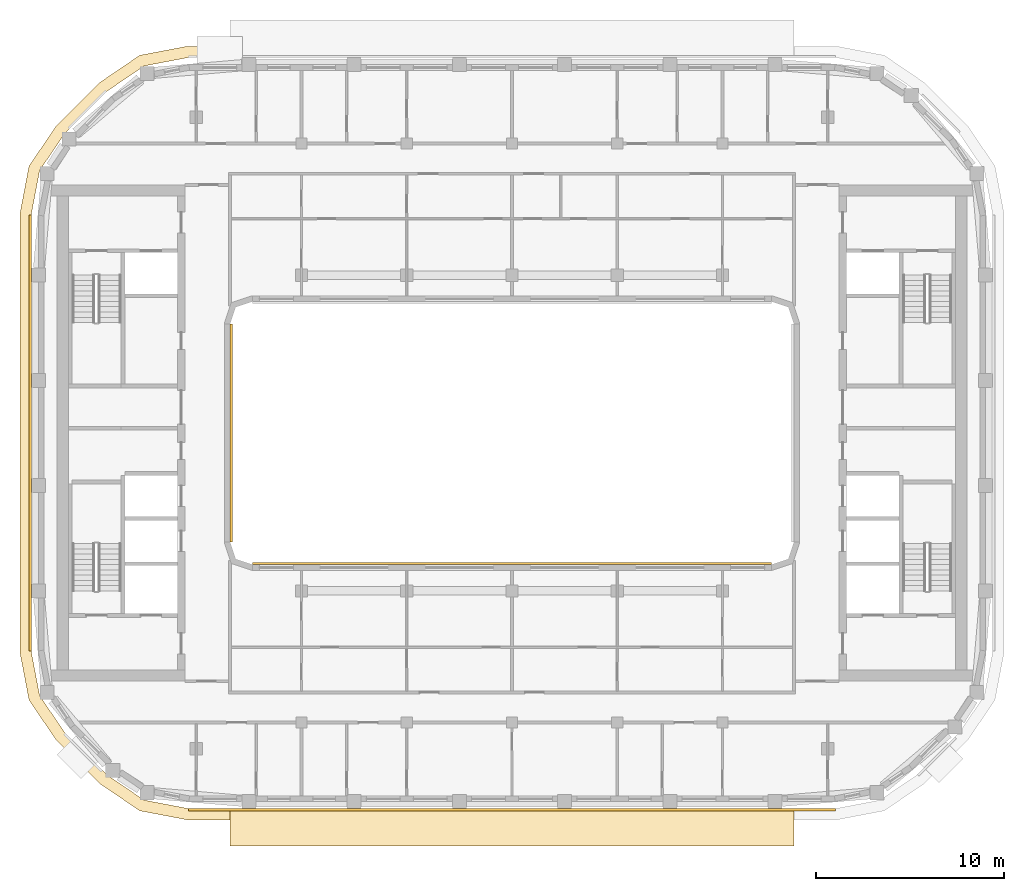
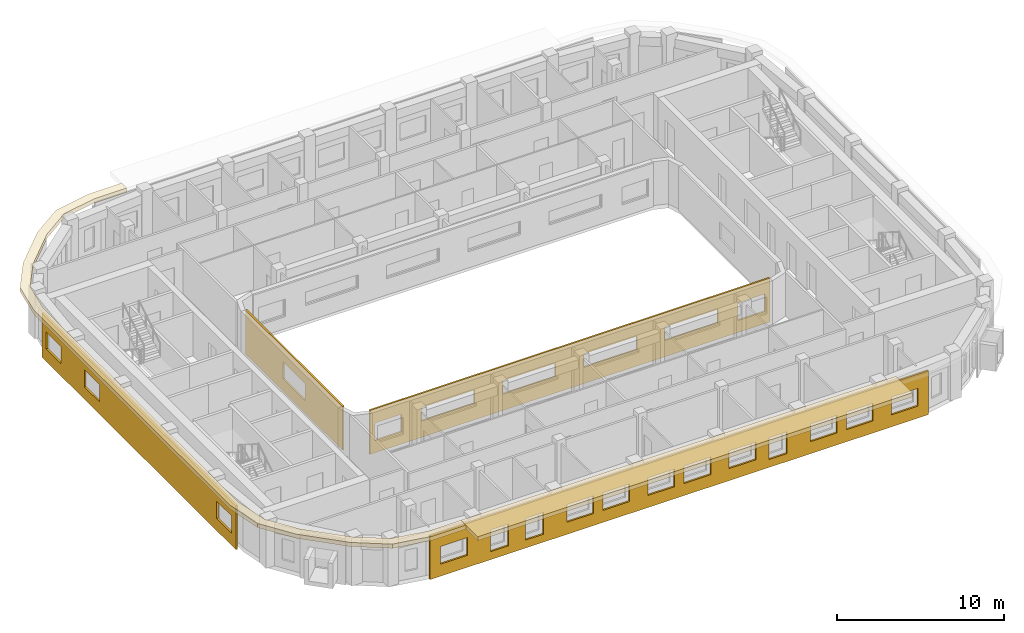
# One storey, part 11 of 16: 6 coverings.
"""IFC4 building model written with IfcOpenShell, lengths in metres."""

from ifc_helpers import new_model, si_unit, direction, frame, origin, place, context, subcontext, project, spatial, polyline, outline, extrude, material, layer, layer_set, type_object, element, save


model = new_model("IFC4")

# Units and contexts
model_context = context("Model", 3, precision=1e-05, world=origin(), true_north=direction((0.0, 1.0)))
body_context = subcontext(model_context, "Body", "Model", "MODEL_VIEW")
ifc_project = project(units=[si_unit("LENGTHUNIT", "METRE"), si_unit("AREAUNIT", "SQUARE_METRE"), si_unit("VOLUMEUNIT", "CUBIC_METRE"), si_unit("PLANEANGLEUNIT", "RADIAN"), si_unit("MASSUNIT", "GRAM", prefix="KILO")], contexts=[model_context])

# Site, building, storey
site_placement = place(None, origin())
site = spatial("IfcSite", under=ifc_project, at=site_placement, CompositionType="ELEMENT")
building_placement = place(site_placement, origin())
building = spatial("IfcBuilding", under=site, at=building_placement, Name="Kiln Ring Residences", CompositionType="ELEMENT")
storey_placement = place(building_placement, frame((0.0, 0.0, 269.699951171875)))
storey = spatial("IfcBuildingStorey", under=building, at=storey_placement, Name="L70", CompositionType="ELEMENT", Elevation=269.699951171875)

# Coverings
ifc_material_1 = material(Name="Brick masonry, dark clay brick", Category="masonry")
ifc_layer_1 = layer(ifc_material_1, 0.1201171875)
ifc_layer_set_1 = layer_set([ifc_layer_1], Name="RAINSCREEN PANEL 120")
covering_type_1 = type_object("IfcCoveringType", Name="RAINSCREEN PANEL 120", PredefinedType="CLADDING", material=ifc_layer_set_1)
covering_1_placement = place(storey_placement, frame((-17.199951171875, -20.034912109375, 0.0), z_axis=(0.0, 0.0, 1.0), x_axis=(1.0, 0.0, 0.0)))
element("IfcCovering", 1, at=covering_1_placement, inside=storey, type_object=covering_type_1, Name="RAINSCREEN L70", PredefinedType="CLADDING", context=body_context, shape_type="SweptSolid", body=[
    extrude(outline(polyline([(0.0, 0.0), (34.39990234375, 0.0), (34.39990234375, 3.199951171875), (0.0, 3.199951171875), (0.0, 0.0)]), holes=[polyline([(4.179931640625, 0.580078125), (5.419921875, 0.580078125), (5.419921875, 2.170166015625), (4.179931640625, 2.170166015625), (4.179931640625, 0.580078125)]), polyline([(6.580078125, 2.170166015625), (6.580078125, 0.580078125), (7.820068359375, 0.580078125), (7.820068359375, 2.170166015625), (6.580078125, 2.170166015625)]), polyline([(0.72998046875, 2.170166015625), (0.72998046875, 0.880126953125), (2.570068359375, 0.880126953125), (2.570068359375, 2.170166015625), (0.72998046875, 2.170166015625)]), polyline([(9.429931640625, 0.880126953125), (11.27001953125, 0.880126953125), (11.27001953125, 2.170166015625), (9.429931640625, 2.170166015625), (9.429931640625, 0.880126953125)]), polyline([(11.929931640625, 2.170166015625), (11.929931640625, 0.880126953125), (13.77001953125, 0.880126953125), (13.77001953125, 2.170166015625), (11.929931640625, 2.170166015625)]), polyline([(15.030029296875, 2.170166015625), (15.030029296875, 0.880126953125), (16.8701171875, 0.880126953125), (16.8701171875, 2.170166015625), (15.030029296875, 2.170166015625)]), polyline([(23.3798828125, 0.580078125), (24.6201171875, 0.580078125), (24.6201171875, 2.170166015625), (23.3798828125, 2.170166015625), (23.3798828125, 0.580078125)]), polyline([(17.530029296875, 2.170166015625), (17.530029296875, 0.880126953125), (19.3701171875, 0.880126953125), (19.3701171875, 2.170166015625), (17.530029296875, 2.170166015625)]), polyline([(20.6298828125, 2.170166015625), (20.6298828125, 0.880126953125), (22.469970703125, 0.880126953125), (22.469970703125, 2.170166015625), (20.6298828125, 2.170166015625)]), polyline([(26.22998046875, 0.880126953125), (28.070068359375, 0.880126953125), (28.070068359375, 2.170166015625), (26.22998046875, 2.170166015625), (26.22998046875, 0.880126953125)]), polyline([(28.72998046875, 2.170166015625), (28.72998046875, 0.880126953125), (30.570068359375, 0.880126953125), (30.570068359375, 2.170166015625), (28.72998046875, 2.170166015625)]), polyline([(31.830078125, 2.170166015625), (31.830078125, 0.880126953125), (33.669921875, 0.880126953125), (33.669921875, 2.170166015625), (31.830078125, 2.170166015625)])]), frame((0.0, 0.06005859375, 0.0), z_axis=(0.0, -1.0, 0.0), x_axis=(1.0, 0.0, 0.0)), (0.0, 0.0, 1.0), 0.1201171875),
])
covering_2_placement = place(storey_placement, frame((-25.635009765625, 11.60009765625, 0.0), z_axis=(0.0, 0.0, 1.0), x_axis=(0.0, -1.0, 0.0)))
element("IfcCovering", 2, at=covering_2_placement, inside=storey, type_object=covering_type_1, Name="RAINSCREEN L70", PredefinedType="CLADDING", context=body_context, shape_type="SweptSolid", body=[
    extrude(outline(polyline([(0.0, 0.0), (23.199951171875, 0.0), (23.199951171875, 3.199951171875), (0.0, 3.199951171875), (0.0, 0.0)]), holes=[polyline([(2.3125, 2.150146484375), (0.512451171875, 2.150146484375), (0.512451171875, 0.900146484375), (2.3125, 0.900146484375), (2.3125, 2.150146484375)]), polyline([(6.89990234375, 0.900146484375), (6.89990234375, 2.150146484375), (5.10009765625, 2.150146484375), (5.10009765625, 0.900146484375), (6.89990234375, 0.900146484375)]), polyline([(22.6875, 0.900146484375), (22.6875, 2.150146484375), (20.887451171875, 2.150146484375), (20.887451171875, 0.900146484375), (22.6875, 0.900146484375)])]), frame((0.0, 0.06005859375, 0.0), z_axis=(0.0, -1.0, 0.0), x_axis=(1.0, 0.0, 0.0)), (0.0, 0.0, 1.0), 0.1201171875),
])
covering_3_placement = place(storey_placement, frame((-14.93994140625, -5.800048828125, 0.0), z_axis=(0.0, 0.0, 1.0), x_axis=(0.0, 1.0, 0.0)))
element("IfcCovering", 3, at=covering_3_placement, inside=storey, type_object=covering_type_1, Name="RAINSCREEN L70", PredefinedType="CLADDING", context=body_context, shape_type="SweptSolid", body=[
    extrude(outline(polyline([(0.0, 0.0), (11.60009765625, 0.0), (11.60009765625, 3.199951171875), (0.0, 3.199951171875), (0.0, 0.0)]), holes=[polyline([(4.5, 2.150146484375), (4.5, 0.900146484375), (7.10009765625, 0.900146484375), (7.10009765625, 2.150146484375), (4.5, 2.150146484375)])]), frame((0.0, 0.06005859375, 0.0), z_axis=(0.0, -1.0, 0.0), x_axis=(1.0, 0.0, 0.0)), (0.0, 0.0, 1.0), 0.1201171875),
])
covering_4_placement = place(storey_placement, frame((13.800048828125, -6.93994140625, 0.0), z_axis=(0.0, 0.0, 1.0), x_axis=(-1.0, 0.0, 0.0)))
element("IfcCovering", 4, at=covering_4_placement, inside=storey, type_object=covering_type_1, Name="RAINSCREEN L70", PredefinedType="CLADDING", context=body_context, shape_type="SweptSolid", body=[
    extrude(outline(polyline([(0.0, 0.0), (27.60009765625, 0.0), (27.60009765625, 3.199951171875), (0.0, 3.199951171875), (0.0, 0.0)]), holes=[polyline([(2.1826171875, 0.880126953125), (2.1826171875, 2.170166015625), (0.342529296875, 2.170166015625), (0.342529296875, 0.880126953125), (2.1826171875, 0.880126953125)]), polyline([(25.41748046875, 0.880126953125), (27.257568359375, 0.880126953125), (27.257568359375, 2.170166015625), (25.41748046875, 2.170166015625), (25.41748046875, 0.880126953125)]), polyline([(3.580078125, 1.179931640625), (7.219970703125, 1.179931640625), (7.219970703125, 2.170166015625), (3.580078125, 2.170166015625), (3.580078125, 1.179931640625)]), polyline([(12.820068359375, 1.179931640625), (12.820068359375, 2.170166015625), (9.179931640625, 2.170166015625), (9.179931640625, 1.179931640625), (12.820068359375, 1.179931640625)]), polyline([(14.780029296875, 1.179931640625), (18.419921875, 1.179931640625), (18.419921875, 2.170166015625), (14.780029296875, 2.170166015625), (14.780029296875, 1.179931640625)]), polyline([(20.3798828125, 1.179931640625), (24.02001953125, 1.179931640625), (24.02001953125, 2.170166015625), (20.3798828125, 2.170166015625), (20.3798828125, 1.179931640625)])]), frame((0.0, 0.06005859375, 0.0), z_axis=(0.0, -1.0, 0.0), x_axis=(1.0, 0.0, 0.0)), (0.0, 0.0, 1.0), 0.1201171875),
])
ifc_material_2 = material(Name="Black powder-coated steel", Category="steel")
ifc_layer_2 = layer(ifc_material_2, 0.300048828125)
ifc_layer_set_2 = layer_set([ifc_layer_2], Name="SUNSHADE BAND 2000")
covering_type_2 = type_object("IfcCoveringType", Name="SUNSHADE BAND 2000", PredefinedType="CLADDING", material=ifc_layer_set_2)
placement = place(storey_placement, frame((0.0, 0.0, 3.199951171875)))
element("IfcCovering", 5, at=placement, inside=storey, type_object=covering_type_2, Name="SUNSHADE BAND L70", PredefinedType="CLADDING", context=body_context, shape_type="SweptSolid", body=[
    extrude(outline(polyline([(-15.0, -21.97509765625), (15.0, -21.97509765625), (15.0, -19.97509765625), (-15.0, -19.97509765625), (-15.0, -21.97509765625)])), origin(), (0.0, 0.0, 1.0), 0.300048828125),
])
ifc_material_3 = material(Name="Black powder-coated steel", Category="steel")
ifc_layer_3 = layer(ifc_material_3, 0.300048828125)
ifc_layer_set_3 = layer_set([ifc_layer_3], Name="SUNSHADE FIN 600")
covering_type_3 = type_object("IfcCoveringType", Name="SUNSHADE FIN 600", PredefinedType="CLADDING", material=ifc_layer_set_3)
element("IfcCovering", 6, at=placement, inside=storey, type_object=covering_type_3, Name="SUNSHADE FIN L70", PredefinedType="CLADDING", context=body_context, shape_type="SweptSolid", body=[
    extrude(outline(polyline([(-26.175048828125, -11.692138671875), (-25.695556640625, -14.205322265625), (-24.257568359375, -16.3212890625), (-21.92138671875, -18.657470703125), (-19.805419921875, -20.095703125), (-17.292236328125, -20.574951171875), (-15.0, -20.574951171875), (-15.0, -19.97509765625), (-17.2353515625, -19.97509765625), (-19.57080078125, -19.529541015625), (-21.537109375, -18.193115234375), (-23.793212890625, -15.937255859375), (-25.12939453125, -13.970703125), (-25.574951171875, -11.635498046875), (-25.574951171875, 11.635498046875), (-25.12939453125, 13.970703125), (-23.793212890625, 15.937255859375), (-21.537109375, 18.193115234375), (-19.57080078125, 19.529541015625), (-17.2353515625, 19.97509765625), (-15.0, 19.97509765625), (-15.0, 20.574951171875), (-17.292236328125, 20.574951171875), (-19.805419921875, 20.095703125), (-21.92138671875, 18.657470703125), (-24.257568359375, 16.3212890625), (-25.695556640625, 14.205322265625), (-26.175048828125, 11.692138671875), (-26.175048828125, -11.692138671875)])), origin(), (0.0, 0.0, 1.0), 0.300048828125),
])

save(model, "model.ifc")
